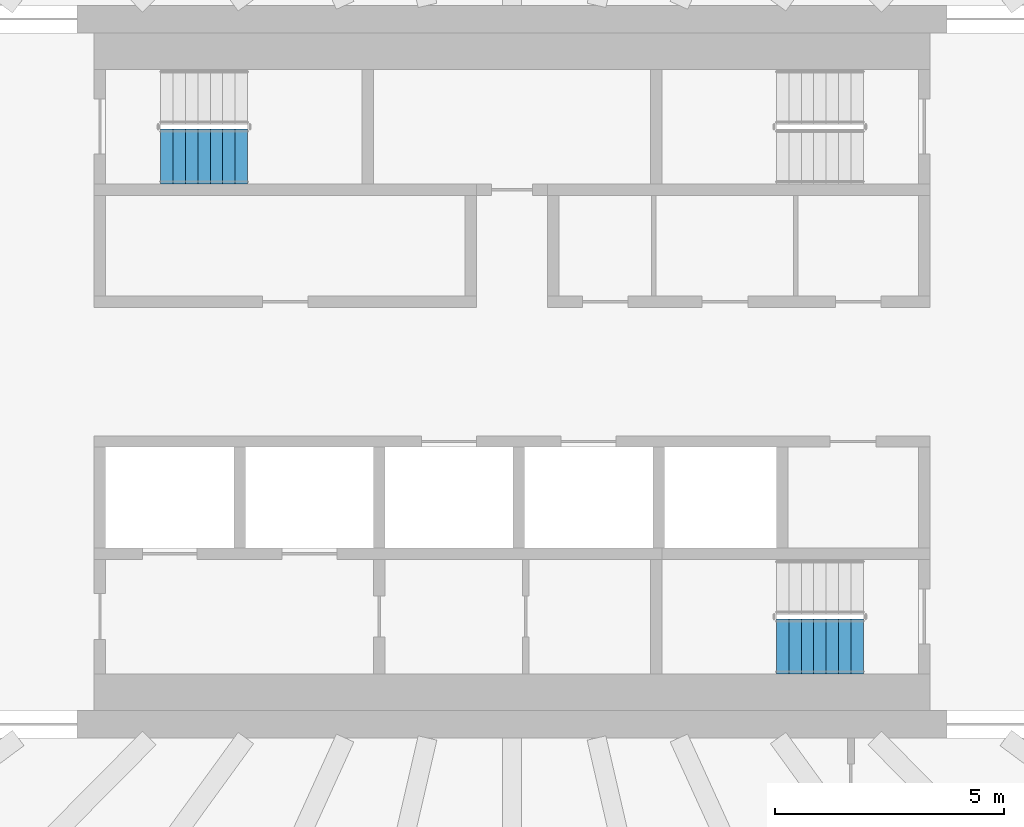
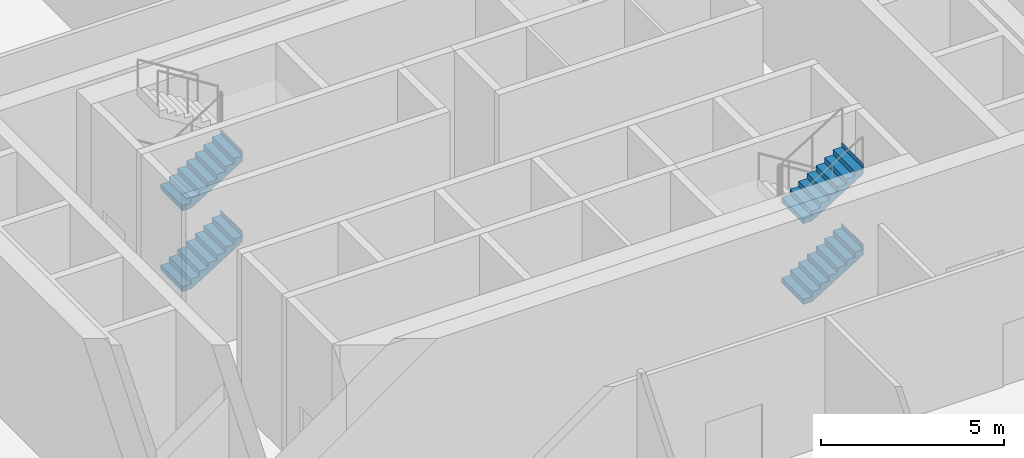
# One storey, part 9 of 18: 4 stair flights, 2 elements without a shape of their own.
"""IFC4 building model written with IfcOpenShell, lengths in metres."""

import ifcopenshell
import ifcopenshell.guid

model = None  # the IFC model being written
_history = None  # IfcOwnerHistory: only IFC2X3 demands one
_inside = {}  # id of a spatial element -> (the spatial element, [elements in it])
_under = {}  # id of a project, library or spatial element -> (it, [spatial elements below it])
_declared = {}  # id of a project -> (the project, [libraries it declares])
_typed = {}  # id of a type object -> (the type object, [elements of that type])
_made_of = {}  # id of a material, layer set ... -> (it, [elements and type objects made of it])


def new_model(schema):
    """Start an empty IFC model of exactly this schema.

    Asked for "IFC4X3", IfcOpenShell would pick the latest addendum, in which some entities
    have other attributes; the version numbers below select the first issue.
    IFC2X3 requires an IfcOwnerHistory on every rooted entity: one is made here for all.
    """
    global model, _history
    if schema == "IFC4X3":
        model = ifcopenshell.file(schema_version=(4, 3, 0, 0))
    else:
        model = ifcopenshell.file(schema=schema)
    _inside.clear()
    _under.clear()
    _declared.clear()
    _typed.clear()
    _made_of.clear()
    _history = None
    if model.schema == "IFC2X3":
        org = make("IfcOrganization", Name="unknown")
        user = make(
            "IfcPersonAndOrganization",
            ThePerson=make("IfcPerson", FamilyName="unknown"),
            TheOrganization=org,
        )
        app = make(
            "IfcApplication",
            ApplicationDeveloper=org,
            Version="unknown",
            ApplicationFullName="unknown",
            ApplicationIdentifier="unknown",
        )
        _history = make(
            "IfcOwnerHistory",
            OwningUser=user,
            OwningApplication=app,
            ChangeAction="ADDED",
            CreationDate=0,
        )
    return model


def make(cls, **values):
    """One entity of the class cls with the attributes given. An attribute that is None is left unset."""
    return model.create_entity(
        cls, **{name: value for name, value in values.items() if value is not None}
    )


def rooted(cls, **values):
    """An entity with a GlobalId (a new one), such as an element, a storey or a relation."""
    return make(cls, GlobalId=ifcopenshell.guid.new(), OwnerHistory=_history, **values)


def si_unit(unit_type, name, prefix=None):
    """IfcSIUnit, for example si_unit("LENGTHUNIT", "METRE", prefix="MILLI")."""
    return make("IfcSIUnit", UnitType=unit_type, Prefix=prefix, Name=name)


def assignment(units):
    """IfcUnitAssignment: the units of a project."""
    return None if units is None else make("IfcUnitAssignment", Units=units)


def point(xyz):
    """IfcCartesianPoint."""
    return None if xyz is None else make("IfcCartesianPoint", Coordinates=xyz)


def direction(xyz):
    """IfcDirection."""
    return None if xyz is None else make("IfcDirection", DirectionRatios=xyz)


def frame(location, z_axis=None, x_axis=None):
    """IfcAxis2Placement3D, a coordinate frame: its origin and axes. An axis left out is left unset."""
    return make(
        "IfcAxis2Placement3D",
        Location=point(location),
        Axis=direction(z_axis),
        RefDirection=direction(x_axis),
    )


def origin():
    """The frame at (0, 0, 0) with its axes left unset."""
    return frame((0.0, 0.0, 0.0))


def place(relative_to, where):
    """IfcLocalPlacement: puts the frame where relative to a parent placement (None: the world)."""
    return make(
        "IfcLocalPlacement", PlacementRelTo=relative_to, RelativePlacement=where
    )


def context(
    kind, dimensions, precision=None, world=None, true_north=None, identifier=None
):
    """IfcGeometricRepresentationContext, for example the 3D "Model" context."""
    return make(
        "IfcGeometricRepresentationContext",
        ContextIdentifier=identifier,
        ContextType=kind,
        CoordinateSpaceDimension=dimensions,
        Precision=precision,
        WorldCoordinateSystem=world,
        TrueNorth=true_north,
    )


def subcontext(parent, identifier, kind, view, scale=None):
    """IfcGeometricRepresentationSubContext, for example "Body" below "Model"."""
    return make(
        "IfcGeometricRepresentationSubContext",
        ContextIdentifier=identifier,
        ContextType=kind,
        ParentContext=parent,
        TargetScale=scale,
        TargetView=view,
    )


def project(units=None, contexts=None):
    """IfcProject with its units and contexts."""
    return rooted(
        "IfcProject",
        Name="project",
        RepresentationContexts=contexts,
        UnitsInContext=assignment(units),
    )


def spatial(cls, under=None, at=None, **own):
    """A site, building, storey or space (cls), placed at a placement, below another one or the project."""
    s = rooted(cls, ObjectPlacement=at, **own)
    if under is not None:
        _under.setdefault(under.id(), (under, []))[1].append(s)
    return s


def point_list(points):
    """IfcCartesianPointList2D or 3D."""
    cls = (
        "IfcCartesianPointList2D" if len(points[0]) == 2 else "IfcCartesianPointList3D"
    )
    return make(cls, CoordList=points)


def triangles(points, corners, closed=None, point_numbers=None):
    """IfcTriangulatedFaceSet: each triangle names its three corners, points numbered from 1."""
    return make(
        "IfcTriangulatedFaceSet",
        Coordinates=point_list(points),
        Closed=closed,
        CoordIndex=corners,
        PnIndex=point_numbers,
    )


def shape(context_of_items, identifier, shape_type, items):
    """IfcShapeRepresentation: the items that make up one representation, for example the "Body"."""
    return make(
        "IfcShapeRepresentation",
        ContextOfItems=context_of_items,
        RepresentationIdentifier=identifier,
        RepresentationType=shape_type,
        Items=items,
    )


def material(Name=None, Category=None):
    """IfcMaterial."""
    return make("IfcMaterial", Name=Name, Category=Category)


def made_of(thing, what):
    """Note that an element or type object is made of a material, layer set ...; save() writes the relation."""
    if what is not None:
        _made_of.setdefault(what.id(), (what, []))[1].append(thing)
    return thing


def type_object(cls, material=None, **own):
    """A type object (cls), such as IfcWallType, which elements share."""
    return made_of(rooted(cls, **own), material)


def element(
    cls,
    number,
    at=None,
    inside=None,
    cuts=None,
    type_object=None,
    material=None,
    context=None,
    identifier="Body",
    shape_type=None,
    held_by="IfcProductDefinitionShape",
    body=None,
    shapes=None,
    **own,
):
    """One element of the class cls, such as IfcWall. Its Tag is "e" and its number.

    at: its placement. inside: the storey or other place that contains it. cuts: it is an
    opening in that element (IfcRelVoidsElement). A single representation is given by context,
    identifier, shape_type and body (its items); several are given by shapes. held_by: the class
    of the entity that holds the representations. save() writes the other relations.
    """
    e = rooted(cls, Tag="e%d" % number, ObjectPlacement=at, **own)
    if body is not None:
        shapes = [shape(context, identifier, shape_type, body)]
    if shapes is not None:
        e.Representation = make(held_by, Representations=shapes)
    if inside is not None:
        _inside.setdefault(inside.id(), (inside, []))[1].append(e)
    if cuts is not None:
        rooted(
            "IfcRelVoidsElement", RelatingBuildingElement=cuts, RelatedOpeningElement=e
        )
    if type_object is not None:
        _typed.setdefault(type_object.id(), (type_object, []))[1].append(e)
    return made_of(e, material)


def aggregate(whole, parts):
    """IfcRelAggregates: a whole, such as a stair, and the parts it consists of."""
    return rooted("IfcRelAggregates", RelatingObject=whole, RelatedObjects=parts)


def save(model, path):
    """Write the relations noted so far, then the file.

    IfcRelAggregates (storeys below a building ...), IfcRelContainedInSpatialStructure (elements
    in a storey), IfcRelDefinesByType, IfcRelAssociatesMaterial and IfcRelDeclares: one each for
    every whole, place, type object, material and project.
    """
    for whole, parts in _under.values():
        aggregate(whole, parts)
    for where, things in _inside.values():
        rooted(
            "IfcRelContainedInSpatialStructure",
            RelatedElements=things,
            RelatingStructure=where,
        )
    for kind, things in _typed.values():
        rooted("IfcRelDefinesByType", RelatedObjects=things, RelatingType=kind)
    for what, things in _made_of.values():
        rooted("IfcRelAssociatesMaterial", RelatedObjects=things, RelatingMaterial=what)
    for by, libraries in _declared.values():
        rooted("IfcRelDeclares", RelatingContext=by, RelatedDefinitions=libraries)
    model.write(path)


model = new_model("IFC4")

# Units and contexts
model_context = context("Model", 3, precision=1e-05, world=origin(), true_north=direction((0.0, 1.0)))
body_context = subcontext(model_context, "Body", "Model", "MODEL_VIEW")
ifc_project = project(units=[si_unit("LENGTHUNIT", "METRE"), si_unit("AREAUNIT", "SQUARE_METRE"), si_unit("VOLUMEUNIT", "CUBIC_METRE"), si_unit("PLANEANGLEUNIT", "RADIAN"), si_unit("MASSUNIT", "GRAM", prefix="KILO")], contexts=[model_context])

# Site, building, storey
site_placement = place(None, origin())
site = spatial("IfcSite", under=ifc_project, at=site_placement, CompositionType="ELEMENT")
building_placement = place(site_placement, origin())
building = spatial("IfcBuilding", under=site, at=building_placement, Name="Sahrelin Media Tower", CompositionType="ELEMENT")
storey_placement = place(building_placement, frame((0.0, 0.0, 96.60009765625)))
storey = spatial("IfcBuildingStorey", under=building, at=storey_placement, Name="L18", CompositionType="ELEMENT", Elevation=96.60009765625)

# Stair, stair flights
ifc_material = material(Name="Concrete C40/50", Category="concrete")
stair_type = type_object("IfcStairType", Name="Exit stair 1200", PredefinedType="HALF_TURN_STAIR", material=ifc_material)
placement = place(storey_placement, origin())
stair_1 = element("IfcStair", 1, at=placement, inside=storey, type_object=stair_type, Name="L18 Exit stair ST1", PredefinedType="HALF_TURN_STAIR")
stair_flight_type = type_object("IfcStairFlightType", Name="Stair flight 1200", PredefinedType="STRAIGHT", material=ifc_material)
stair_flight_1_placement = place(storey_placement, frame((-7.675048828125, 4.699951171875, 0.0), z_axis=(0.0, 0.0, 1.0), x_axis=(1.0, 0.0, 0.0)))
stair_flight_1 = element("IfcStairFlight", 2, at=stair_flight_1_placement, type_object=stair_flight_type, Name="ST1 flight 1", NumberOfRisers=8, NumberOfTreads=7, PredefinedType="STRAIGHT", RiserHeight=0.16875, TreadLength=0.271428571, context=body_context, shape_type="Tessellation", body=[
    triangles([(0.283935546875, 0.60009765625, 0.0), (0.283935546875, 0.300048828125, 0.0), (0.283935546875, 0.0, 0.0), (0.283935546875, -0.300048828125, 0.0), (0.283935546875, -0.60009765625, 0.0), (1.89990234375, 0.60009765625, 1.004638671875), (1.89990234375, 0.300048828125, 1.004638671875), (1.89990234375, 0.0, 1.004638671875), (1.89990234375, -0.300048828125, 1.004638671875), (1.89990234375, -0.60009765625, 1.004638671875), (1.89990234375, 0.60009765625, 1.35009765625), (1.89990234375, 0.300048828125, 1.35009765625), (1.89990234375, 0.0, 1.35009765625), (1.89990234375, -0.300048828125, 1.35009765625), (1.89990234375, -0.60009765625, 1.35009765625), (1.89794921875, 0.60009765625, 1.35009765625), (1.89794921875, 0.300048828125, 1.35009765625), (1.89794921875, 0.0, 1.35009765625), (1.89794921875, -0.300048828125, 1.35009765625), (1.89794921875, -0.60009765625, 1.35009765625), (1.89794921875, 0.60009765625, 1.18115234375), (1.89794921875, 0.300048828125, 1.18115234375), (1.89794921875, 0.0, 1.18115234375), (1.89794921875, -0.300048828125, 1.18115234375), (1.89794921875, -0.60009765625, 1.18115234375), (1.628662109375, 0.60009765625, 1.18115234375), (1.628662109375, 0.300048828125, 1.18115234375), (1.628662109375, 0.0, 1.18115234375), (1.628662109375, -0.300048828125, 1.18115234375), (1.628662109375, -0.60009765625, 1.18115234375), (1.628662109375, 0.60009765625, 1.012451171875), (1.628662109375, 0.300048828125, 1.012451171875), (1.628662109375, 0.0, 1.012451171875), (1.628662109375, -0.300048828125, 1.012451171875), (1.628662109375, -0.60009765625, 1.012451171875), (1.357177734375, 0.60009765625, 1.012451171875), (1.357177734375, 0.300048828125, 1.012451171875), (1.357177734375, 0.0, 1.012451171875), (1.357177734375, -0.300048828125, 1.012451171875), (1.357177734375, -0.60009765625, 1.012451171875), (1.357177734375, 0.60009765625, 0.84375), (1.357177734375, 0.300048828125, 0.84375), (1.357177734375, 0.0, 0.84375), (1.357177734375, -0.300048828125, 0.84375), (1.357177734375, -0.60009765625, 0.84375), (1.085693359375, 0.60009765625, 0.84375), (1.085693359375, 0.300048828125, 0.84375), (1.085693359375, 0.0, 0.84375), (1.085693359375, -0.300048828125, 0.84375), (1.085693359375, -0.60009765625, 0.84375), (1.085693359375, 0.60009765625, 0.675048828125), (1.085693359375, 0.300048828125, 0.675048828125), (1.085693359375, 0.0, 0.675048828125), (1.085693359375, -0.300048828125, 0.675048828125), (1.085693359375, -0.60009765625, 0.675048828125), (0.814208984375, 0.60009765625, 0.675048828125), (0.814208984375, 0.300048828125, 0.675048828125), (0.814208984375, 0.0, 0.675048828125), (0.814208984375, -0.300048828125, 0.675048828125), (0.814208984375, -0.60009765625, 0.675048828125), (0.814208984375, 0.60009765625, 0.50634765625), (0.814208984375, 0.300048828125, 0.50634765625), (0.814208984375, 0.0, 0.50634765625), (0.814208984375, -0.300048828125, 0.50634765625), (0.814208984375, -0.60009765625, 0.50634765625), (0.54296875, 0.60009765625, 0.50634765625), (0.54296875, 0.300048828125, 0.50634765625), (0.54296875, 0.0, 0.50634765625), (0.54296875, -0.300048828125, 0.50634765625), (0.54296875, -0.60009765625, 0.50634765625), (0.54296875, 0.60009765625, 0.33740234375), (0.54296875, 0.300048828125, 0.33740234375), (0.54296875, 0.0, 0.33740234375), (0.54296875, -0.300048828125, 0.33740234375), (0.54296875, -0.60009765625, 0.33740234375), (0.271484375, 0.60009765625, 0.33740234375), (0.271484375, 0.300048828125, 0.33740234375), (0.271484375, 0.0, 0.33740234375), (0.271484375, -0.300048828125, 0.33740234375), (0.271484375, -0.60009765625, 0.33740234375), (0.271484375, 0.60009765625, 0.168701171875), (0.271484375, 0.300048828125, 0.168701171875), (0.271484375, 0.0, 0.168701171875), (0.271484375, -0.300048828125, 0.168701171875), (0.271484375, -0.60009765625, 0.168701171875), (0.0, 0.60009765625, 0.168701171875), (0.0, 0.300048828125, 0.168701171875), (0.0, 0.0, 0.168701171875), (0.0, -0.300048828125, 0.168701171875), (0.0, -0.60009765625, 0.168701171875), (0.0, 0.60009765625, 0.0), (0.0, 0.300048828125, 0.0), (0.0, 0.0, 0.0), (0.0, -0.300048828125, 0.0), (0.0, -0.60009765625, 0.0)], [[1, 6, 7], [1, 7, 2], [2, 7, 8], [2, 8, 3], [3, 8, 9], [3, 9, 4], [4, 9, 10], [4, 10, 5], [6, 11, 12], [6, 12, 7], [7, 12, 13], [7, 13, 8], [8, 13, 14], [8, 14, 9], [9, 14, 15], [9, 15, 10], [11, 16, 17], [11, 17, 12], [12, 17, 18], [12, 18, 13], [13, 18, 19], [13, 19, 14], [14, 19, 20], [14, 20, 15], [16, 21, 22], [16, 22, 17], [17, 22, 23], [17, 23, 18], [18, 23, 24], [18, 24, 19], [19, 24, 25], [19, 25, 20], [21, 26, 27], [21, 27, 22], [22, 27, 28], [22, 28, 23], [23, 28, 29], [23, 29, 24], [24, 29, 30], [24, 30, 25], [26, 31, 32], [26, 32, 27], [27, 32, 33], [27, 33, 28], [28, 33, 34], [28, 34, 29], [29, 34, 35], [29, 35, 30], [31, 36, 37], [31, 37, 32], [32, 37, 38], [32, 38, 33], [33, 38, 39], [33, 39, 34], [34, 39, 40], [34, 40, 35], [36, 41, 42], [36, 42, 37], [37, 42, 43], [37, 43, 38], [38, 43, 44], [38, 44, 39], [39, 44, 45], [39, 45, 40], [41, 46, 47], [41, 47, 42], [42, 47, 48], [42, 48, 43], [43, 48, 49], [43, 49, 44], [44, 49, 50], [44, 50, 45], [46, 51, 52], [46, 52, 47], [47, 52, 53], [47, 53, 48], [48, 53, 54], [48, 54, 49], [49, 54, 55], [49, 55, 50], [51, 56, 57], [51, 57, 52], [52, 57, 58], [52, 58, 53], [53, 58, 59], [53, 59, 54], [54, 59, 60], [54, 60, 55], [56, 61, 62], [56, 62, 57], [57, 62, 63], [57, 63, 58], [58, 63, 64], [58, 64, 59], [59, 64, 65], [59, 65, 60], [61, 66, 67], [61, 67, 62], [62, 67, 68], [62, 68, 63], [63, 68, 69], [63, 69, 64], [64, 69, 70], [64, 70, 65], [66, 71, 72], [66, 72, 67], [67, 72, 73], [67, 73, 68], [68, 73, 74], [68, 74, 69], [69, 74, 75], [69, 75, 70], [71, 76, 77], [71, 77, 72], [72, 77, 78], [72, 78, 73], [73, 78, 79], [73, 79, 74], [74, 79, 80], [74, 80, 75], [76, 81, 82], [76, 82, 77], [77, 82, 83], [77, 83, 78], [78, 83, 84], [78, 84, 79], [79, 84, 85], [79, 85, 80], [81, 86, 87], [81, 87, 82], [82, 87, 88], [82, 88, 83], [83, 88, 89], [83, 89, 84], [84, 89, 90], [84, 90, 85], [86, 91, 92], [86, 92, 87], [87, 92, 93], [87, 93, 88], [88, 93, 94], [88, 94, 89], [89, 94, 95], [89, 95, 90], [91, 1, 2], [91, 2, 92], [92, 2, 3], [92, 3, 93], [93, 3, 4], [93, 4, 94], [94, 4, 5], [94, 5, 95], [85, 90, 95], [81, 91, 86], [85, 75, 80], [81, 76, 71], [75, 65, 70], [71, 66, 61], [65, 55, 60], [61, 56, 51], [55, 45, 50], [51, 46, 41], [45, 35, 40], [41, 36, 31], [35, 25, 30], [31, 26, 21], [25, 15, 20], [21, 16, 11], [95, 5, 85], [91, 81, 1], [5, 55, 65], [1, 61, 51], [25, 10, 15], [21, 11, 6], [75, 85, 5], [71, 1, 81], [10, 45, 55], [6, 51, 41], [35, 10, 25], [31, 21, 6], [65, 75, 5], [61, 1, 71], [45, 10, 35], [41, 31, 6], [5, 10, 55], [1, 51, 6]], closed=True),
])
stair_flight_2_placement = place(storey_placement, frame((-7.675048828125, 4.699951171875, 2.699951171875), z_axis=(0.0, 0.0, 1.0), x_axis=(1.0, 0.0, 0.0)))
stair_flight_2 = element("IfcStairFlight", 3, at=stair_flight_2_placement, type_object=stair_flight_type, Name="ST1 flight 3", NumberOfRisers=8, NumberOfTreads=7, PredefinedType="STRAIGHT", RiserHeight=0.16875, TreadLength=0.271428571, context=body_context, shape_type="Tessellation", body=[
    triangles([(0.283935546875, 0.60009765625, 0.0), (0.283935546875, 0.300048828125, 0.0), (0.283935546875, 0.0, 0.0), (0.283935546875, -0.300048828125, 0.0), (0.283935546875, -0.60009765625, 0.0), (1.89990234375, 0.60009765625, 1.004638671875), (1.89990234375, 0.300048828125, 1.004638671875), (1.89990234375, 0.0, 1.004638671875), (1.89990234375, -0.300048828125, 1.004638671875), (1.89990234375, -0.60009765625, 1.004638671875), (1.89990234375, 0.60009765625, 1.35009765625), (1.89990234375, 0.300048828125, 1.35009765625), (1.89990234375, 0.0, 1.35009765625), (1.89990234375, -0.300048828125, 1.35009765625), (1.89990234375, -0.60009765625, 1.35009765625), (1.89794921875, 0.60009765625, 1.35009765625), (1.89794921875, 0.300048828125, 1.35009765625), (1.89794921875, 0.0, 1.35009765625), (1.89794921875, -0.300048828125, 1.35009765625), (1.89794921875, -0.60009765625, 1.35009765625), (1.89794921875, 0.60009765625, 1.18115234375), (1.89794921875, 0.300048828125, 1.18115234375), (1.89794921875, 0.0, 1.18115234375), (1.89794921875, -0.300048828125, 1.18115234375), (1.89794921875, -0.60009765625, 1.18115234375), (1.628662109375, 0.60009765625, 1.18115234375), (1.628662109375, 0.300048828125, 1.18115234375), (1.628662109375, 0.0, 1.18115234375), (1.628662109375, -0.300048828125, 1.18115234375), (1.628662109375, -0.60009765625, 1.18115234375), (1.628662109375, 0.60009765625, 1.012451171875), (1.628662109375, 0.300048828125, 1.012451171875), (1.628662109375, 0.0, 1.012451171875), (1.628662109375, -0.300048828125, 1.012451171875), (1.628662109375, -0.60009765625, 1.012451171875), (1.357177734375, 0.60009765625, 1.012451171875), (1.357177734375, 0.300048828125, 1.012451171875), (1.357177734375, 0.0, 1.012451171875), (1.357177734375, -0.300048828125, 1.012451171875), (1.357177734375, -0.60009765625, 1.012451171875), (1.357177734375, 0.60009765625, 0.84375), (1.357177734375, 0.300048828125, 0.84375), (1.357177734375, 0.0, 0.84375), (1.357177734375, -0.300048828125, 0.84375), (1.357177734375, -0.60009765625, 0.84375), (1.085693359375, 0.60009765625, 0.84375), (1.085693359375, 0.300048828125, 0.84375), (1.085693359375, 0.0, 0.84375), (1.085693359375, -0.300048828125, 0.84375), (1.085693359375, -0.60009765625, 0.84375), (1.085693359375, 0.60009765625, 0.675048828125), (1.085693359375, 0.300048828125, 0.675048828125), (1.085693359375, 0.0, 0.675048828125), (1.085693359375, -0.300048828125, 0.675048828125), (1.085693359375, -0.60009765625, 0.675048828125), (0.814208984375, 0.60009765625, 0.675048828125), (0.814208984375, 0.300048828125, 0.675048828125), (0.814208984375, 0.0, 0.675048828125), (0.814208984375, -0.300048828125, 0.675048828125), (0.814208984375, -0.60009765625, 0.675048828125), (0.814208984375, 0.60009765625, 0.50634765625), (0.814208984375, 0.300048828125, 0.50634765625), (0.814208984375, 0.0, 0.50634765625), (0.814208984375, -0.300048828125, 0.50634765625), (0.814208984375, -0.60009765625, 0.50634765625), (0.54296875, 0.60009765625, 0.50634765625), (0.54296875, 0.300048828125, 0.50634765625), (0.54296875, 0.0, 0.50634765625), (0.54296875, -0.300048828125, 0.50634765625), (0.54296875, -0.60009765625, 0.50634765625), (0.54296875, 0.60009765625, 0.33740234375), (0.54296875, 0.300048828125, 0.33740234375), (0.54296875, 0.0, 0.33740234375), (0.54296875, -0.300048828125, 0.33740234375), (0.54296875, -0.60009765625, 0.33740234375), (0.271484375, 0.60009765625, 0.33740234375), (0.271484375, 0.300048828125, 0.33740234375), (0.271484375, 0.0, 0.33740234375), (0.271484375, -0.300048828125, 0.33740234375), (0.271484375, -0.60009765625, 0.33740234375), (0.271484375, 0.60009765625, 0.168701171875), (0.271484375, 0.300048828125, 0.168701171875), (0.271484375, 0.0, 0.168701171875), (0.271484375, -0.300048828125, 0.168701171875), (0.271484375, -0.60009765625, 0.168701171875), (0.0, 0.60009765625, 0.168701171875), (0.0, 0.300048828125, 0.168701171875), (0.0, 0.0, 0.168701171875), (0.0, -0.300048828125, 0.168701171875), (0.0, -0.60009765625, 0.168701171875), (0.0, 0.60009765625, 0.0), (0.0, 0.300048828125, 0.0), (0.0, 0.0, 0.0), (0.0, -0.300048828125, 0.0), (0.0, -0.60009765625, 0.0)], [[1, 6, 7], [1, 7, 2], [2, 7, 8], [2, 8, 3], [3, 8, 9], [3, 9, 4], [4, 9, 10], [4, 10, 5], [6, 11, 12], [6, 12, 7], [7, 12, 13], [7, 13, 8], [8, 13, 14], [8, 14, 9], [9, 14, 15], [9, 15, 10], [11, 16, 17], [11, 17, 12], [12, 17, 18], [12, 18, 13], [13, 18, 19], [13, 19, 14], [14, 19, 20], [14, 20, 15], [16, 21, 22], [16, 22, 17], [17, 22, 23], [17, 23, 18], [18, 23, 24], [18, 24, 19], [19, 24, 25], [19, 25, 20], [21, 26, 27], [21, 27, 22], [22, 27, 28], [22, 28, 23], [23, 28, 29], [23, 29, 24], [24, 29, 30], [24, 30, 25], [26, 31, 32], [26, 32, 27], [27, 32, 33], [27, 33, 28], [28, 33, 34], [28, 34, 29], [29, 34, 35], [29, 35, 30], [31, 36, 37], [31, 37, 32], [32, 37, 38], [32, 38, 33], [33, 38, 39], [33, 39, 34], [34, 39, 40], [34, 40, 35], [36, 41, 42], [36, 42, 37], [37, 42, 43], [37, 43, 38], [38, 43, 44], [38, 44, 39], [39, 44, 45], [39, 45, 40], [41, 46, 47], [41, 47, 42], [42, 47, 48], [42, 48, 43], [43, 48, 49], [43, 49, 44], [44, 49, 50], [44, 50, 45], [46, 51, 52], [46, 52, 47], [47, 52, 53], [47, 53, 48], [48, 53, 54], [48, 54, 49], [49, 54, 55], [49, 55, 50], [51, 56, 57], [51, 57, 52], [52, 57, 58], [52, 58, 53], [53, 58, 59], [53, 59, 54], [54, 59, 60], [54, 60, 55], [56, 61, 62], [56, 62, 57], [57, 62, 63], [57, 63, 58], [58, 63, 64], [58, 64, 59], [59, 64, 65], [59, 65, 60], [61, 66, 67], [61, 67, 62], [62, 67, 68], [62, 68, 63], [63, 68, 69], [63, 69, 64], [64, 69, 70], [64, 70, 65], [66, 71, 72], [66, 72, 67], [67, 72, 73], [67, 73, 68], [68, 73, 74], [68, 74, 69], [69, 74, 75], [69, 75, 70], [71, 76, 77], [71, 77, 72], [72, 77, 78], [72, 78, 73], [73, 78, 79], [73, 79, 74], [74, 79, 80], [74, 80, 75], [76, 81, 82], [76, 82, 77], [77, 82, 83], [77, 83, 78], [78, 83, 84], [78, 84, 79], [79, 84, 85], [79, 85, 80], [81, 86, 87], [81, 87, 82], [82, 87, 88], [82, 88, 83], [83, 88, 89], [83, 89, 84], [84, 89, 90], [84, 90, 85], [86, 91, 92], [86, 92, 87], [87, 92, 93], [87, 93, 88], [88, 93, 94], [88, 94, 89], [89, 94, 95], [89, 95, 90], [91, 1, 2], [91, 2, 92], [92, 2, 3], [92, 3, 93], [93, 3, 4], [93, 4, 94], [94, 4, 5], [94, 5, 95], [85, 90, 95], [81, 91, 86], [85, 75, 80], [81, 76, 71], [75, 65, 70], [71, 66, 61], [65, 55, 60], [61, 56, 51], [55, 45, 50], [51, 46, 41], [45, 35, 40], [41, 36, 31], [35, 25, 30], [31, 26, 21], [25, 15, 20], [21, 16, 11], [95, 5, 85], [91, 81, 1], [5, 55, 65], [1, 61, 51], [25, 10, 15], [21, 11, 6], [75, 85, 5], [71, 1, 81], [10, 45, 55], [6, 51, 41], [35, 10, 25], [31, 21, 6], [65, 75, 5], [61, 1, 71], [45, 10, 35], [41, 31, 6], [5, 10, 55], [1, 51, 6]], closed=True),
])
aggregate(stair_1, [stair_flight_1, stair_flight_2])

stair_2 = element("IfcStair", 4, at=placement, inside=storey, type_object=stair_type, Name="L18 Exit stair ST2", PredefinedType="HALF_TURN_STAIR")
stair_flight_3_placement = place(storey_placement, frame((5.77490234375, -6.0, 1.349853515625), z_axis=(0.0, 0.0, 1.0), x_axis=(1.0, 0.0, 0.0)))
stair_flight_3 = element("IfcStairFlight", 5, at=stair_flight_3_placement, type_object=stair_flight_type, Name="ST2 flight 2", NumberOfRisers=8, NumberOfTreads=7, PredefinedType="STRAIGHT", RiserHeight=0.16875, TreadLength=0.271428571, context=body_context, shape_type="Tessellation", body=[
    triangles([(0.283935546875, 0.60009765625, 0.0), (0.283935546875, 0.300048828125, 0.0), (0.283935546875, 0.0, 0.0), (0.283935546875, -0.300048828125, 0.0), (0.283935546875, -0.60009765625, 0.0), (1.89990234375, 0.60009765625, 1.004638671875), (1.89990234375, 0.300048828125, 1.004638671875), (1.89990234375, 0.0, 1.004638671875), (1.89990234375, -0.300048828125, 1.004638671875), (1.89990234375, -0.60009765625, 1.004638671875), (1.89990234375, 0.60009765625, 1.35009765625), (1.89990234375, 0.300048828125, 1.35009765625), (1.89990234375, 0.0, 1.35009765625), (1.89990234375, -0.300048828125, 1.35009765625), (1.89990234375, -0.60009765625, 1.35009765625), (1.89794921875, 0.60009765625, 1.35009765625), (1.89794921875, 0.300048828125, 1.35009765625), (1.89794921875, 0.0, 1.35009765625), (1.89794921875, -0.300048828125, 1.35009765625), (1.89794921875, -0.60009765625, 1.35009765625), (1.89794921875, 0.60009765625, 1.18115234375), (1.89794921875, 0.300048828125, 1.18115234375), (1.89794921875, 0.0, 1.18115234375), (1.89794921875, -0.300048828125, 1.18115234375), (1.89794921875, -0.60009765625, 1.18115234375), (1.628662109375, 0.60009765625, 1.18115234375), (1.628662109375, 0.300048828125, 1.18115234375), (1.628662109375, 0.0, 1.18115234375), (1.628662109375, -0.300048828125, 1.18115234375), (1.628662109375, -0.60009765625, 1.18115234375), (1.628662109375, 0.60009765625, 1.012451171875), (1.628662109375, 0.300048828125, 1.012451171875), (1.628662109375, 0.0, 1.012451171875), (1.628662109375, -0.300048828125, 1.012451171875), (1.628662109375, -0.60009765625, 1.012451171875), (1.357177734375, 0.60009765625, 1.012451171875), (1.357177734375, 0.300048828125, 1.012451171875), (1.357177734375, 0.0, 1.012451171875), (1.357177734375, -0.300048828125, 1.012451171875), (1.357177734375, -0.60009765625, 1.012451171875), (1.357177734375, 0.60009765625, 0.84375), (1.357177734375, 0.300048828125, 0.84375), (1.357177734375, 0.0, 0.84375), (1.357177734375, -0.300048828125, 0.84375), (1.357177734375, -0.60009765625, 0.84375), (1.085693359375, 0.60009765625, 0.84375), (1.085693359375, 0.300048828125, 0.84375), (1.085693359375, 0.0, 0.84375), (1.085693359375, -0.300048828125, 0.84375), (1.085693359375, -0.60009765625, 0.84375), (1.085693359375, 0.60009765625, 0.675048828125), (1.085693359375, 0.300048828125, 0.675048828125), (1.085693359375, 0.0, 0.675048828125), (1.085693359375, -0.300048828125, 0.675048828125), (1.085693359375, -0.60009765625, 0.675048828125), (0.814208984375, 0.60009765625, 0.675048828125), (0.814208984375, 0.300048828125, 0.675048828125), (0.814208984375, 0.0, 0.675048828125), (0.814208984375, -0.300048828125, 0.675048828125), (0.814208984375, -0.60009765625, 0.675048828125), (0.814208984375, 0.60009765625, 0.50634765625), (0.814208984375, 0.300048828125, 0.50634765625), (0.814208984375, 0.0, 0.50634765625), (0.814208984375, -0.300048828125, 0.50634765625), (0.814208984375, -0.60009765625, 0.50634765625), (0.54296875, 0.60009765625, 0.50634765625), (0.54296875, 0.300048828125, 0.50634765625), (0.54296875, 0.0, 0.50634765625), (0.54296875, -0.300048828125, 0.50634765625), (0.54296875, -0.60009765625, 0.50634765625), (0.54296875, 0.60009765625, 0.33740234375), (0.54296875, 0.300048828125, 0.33740234375), (0.54296875, 0.0, 0.33740234375), (0.54296875, -0.300048828125, 0.33740234375), (0.54296875, -0.60009765625, 0.33740234375), (0.271484375, 0.60009765625, 0.33740234375), (0.271484375, 0.300048828125, 0.33740234375), (0.271484375, 0.0, 0.33740234375), (0.271484375, -0.300048828125, 0.33740234375), (0.271484375, -0.60009765625, 0.33740234375), (0.271484375, 0.60009765625, 0.168701171875), (0.271484375, 0.300048828125, 0.168701171875), (0.271484375, 0.0, 0.168701171875), (0.271484375, -0.300048828125, 0.168701171875), (0.271484375, -0.60009765625, 0.168701171875), (0.0, 0.60009765625, 0.168701171875), (0.0, 0.300048828125, 0.168701171875), (0.0, 0.0, 0.168701171875), (0.0, -0.300048828125, 0.168701171875), (0.0, -0.60009765625, 0.168701171875), (0.0, 0.60009765625, 0.0), (0.0, 0.300048828125, 0.0), (0.0, 0.0, 0.0), (0.0, -0.300048828125, 0.0), (0.0, -0.60009765625, 0.0)], [[1, 6, 7], [1, 7, 2], [2, 7, 8], [2, 8, 3], [3, 8, 9], [3, 9, 4], [4, 9, 10], [4, 10, 5], [6, 11, 12], [6, 12, 7], [7, 12, 13], [7, 13, 8], [8, 13, 14], [8, 14, 9], [9, 14, 15], [9, 15, 10], [11, 16, 17], [11, 17, 12], [12, 17, 18], [12, 18, 13], [13, 18, 19], [13, 19, 14], [14, 19, 20], [14, 20, 15], [16, 21, 22], [16, 22, 17], [17, 22, 23], [17, 23, 18], [18, 23, 24], [18, 24, 19], [19, 24, 25], [19, 25, 20], [21, 26, 27], [21, 27, 22], [22, 27, 28], [22, 28, 23], [23, 28, 29], [23, 29, 24], [24, 29, 30], [24, 30, 25], [26, 31, 32], [26, 32, 27], [27, 32, 33], [27, 33, 28], [28, 33, 34], [28, 34, 29], [29, 34, 35], [29, 35, 30], [31, 36, 37], [31, 37, 32], [32, 37, 38], [32, 38, 33], [33, 38, 39], [33, 39, 34], [34, 39, 40], [34, 40, 35], [36, 41, 42], [36, 42, 37], [37, 42, 43], [37, 43, 38], [38, 43, 44], [38, 44, 39], [39, 44, 45], [39, 45, 40], [41, 46, 47], [41, 47, 42], [42, 47, 48], [42, 48, 43], [43, 48, 49], [43, 49, 44], [44, 49, 50], [44, 50, 45], [46, 51, 52], [46, 52, 47], [47, 52, 53], [47, 53, 48], [48, 53, 54], [48, 54, 49], [49, 54, 55], [49, 55, 50], [51, 56, 57], [51, 57, 52], [52, 57, 58], [52, 58, 53], [53, 58, 59], [53, 59, 54], [54, 59, 60], [54, 60, 55], [56, 61, 62], [56, 62, 57], [57, 62, 63], [57, 63, 58], [58, 63, 64], [58, 64, 59], [59, 64, 65], [59, 65, 60], [61, 66, 67], [61, 67, 62], [62, 67, 68], [62, 68, 63], [63, 68, 69], [63, 69, 64], [64, 69, 70], [64, 70, 65], [66, 71, 72], [66, 72, 67], [67, 72, 73], [67, 73, 68], [68, 73, 74], [68, 74, 69], [69, 74, 75], [69, 75, 70], [71, 76, 77], [71, 77, 72], [72, 77, 78], [72, 78, 73], [73, 78, 79], [73, 79, 74], [74, 79, 80], [74, 80, 75], [76, 81, 82], [76, 82, 77], [77, 82, 83], [77, 83, 78], [78, 83, 84], [78, 84, 79], [79, 84, 85], [79, 85, 80], [81, 86, 87], [81, 87, 82], [82, 87, 88], [82, 88, 83], [83, 88, 89], [83, 89, 84], [84, 89, 90], [84, 90, 85], [86, 91, 92], [86, 92, 87], [87, 92, 93], [87, 93, 88], [88, 93, 94], [88, 94, 89], [89, 94, 95], [89, 95, 90], [91, 1, 2], [91, 2, 92], [92, 2, 3], [92, 3, 93], [93, 3, 4], [93, 4, 94], [94, 4, 5], [94, 5, 95], [85, 90, 95], [81, 91, 86], [85, 75, 80], [81, 76, 71], [75, 65, 70], [71, 66, 61], [65, 55, 60], [61, 56, 51], [55, 45, 50], [51, 46, 41], [45, 35, 40], [41, 36, 31], [35, 25, 30], [31, 26, 21], [25, 15, 20], [21, 16, 11], [95, 5, 85], [91, 81, 1], [5, 55, 65], [1, 61, 51], [25, 10, 15], [21, 11, 6], [75, 85, 5], [71, 1, 81], [10, 45, 55], [6, 51, 41], [35, 10, 25], [31, 21, 6], [65, 75, 5], [61, 1, 71], [45, 10, 35], [41, 31, 6], [5, 10, 55], [1, 51, 6]], closed=True),
])
stair_flight_4_placement = place(storey_placement, frame((5.77490234375, -6.0, 4.0498046875), z_axis=(0.0, 0.0, 1.0), x_axis=(1.0, 0.0, 0.0)))
stair_flight_4 = element("IfcStairFlight", 6, at=stair_flight_4_placement, type_object=stair_flight_type, Name="ST2 flight 4", NumberOfRisers=8, NumberOfTreads=7, PredefinedType="STRAIGHT", RiserHeight=0.16875, TreadLength=0.271428571, context=body_context, shape_type="Tessellation", body=[
    triangles([(0.283935546875, 0.60009765625, 0.0), (0.283935546875, 0.300048828125, 0.0), (0.283935546875, 0.0, 0.0), (0.283935546875, -0.300048828125, 0.0), (0.283935546875, -0.60009765625, 0.0), (1.89990234375, 0.60009765625, 1.004638671875), (1.89990234375, 0.300048828125, 1.004638671875), (1.89990234375, 0.0, 1.004638671875), (1.89990234375, -0.300048828125, 1.004638671875), (1.89990234375, -0.60009765625, 1.004638671875), (1.89990234375, 0.60009765625, 1.35009765625), (1.89990234375, 0.300048828125, 1.35009765625), (1.89990234375, 0.0, 1.35009765625), (1.89990234375, -0.300048828125, 1.35009765625), (1.89990234375, -0.60009765625, 1.35009765625), (1.89794921875, 0.60009765625, 1.35009765625), (1.89794921875, 0.300048828125, 1.35009765625), (1.89794921875, 0.0, 1.35009765625), (1.89794921875, -0.300048828125, 1.35009765625), (1.89794921875, -0.60009765625, 1.35009765625), (1.89794921875, 0.60009765625, 1.18115234375), (1.89794921875, 0.300048828125, 1.18115234375), (1.89794921875, 0.0, 1.18115234375), (1.89794921875, -0.300048828125, 1.18115234375), (1.89794921875, -0.60009765625, 1.18115234375), (1.628662109375, 0.60009765625, 1.18115234375), (1.628662109375, 0.300048828125, 1.18115234375), (1.628662109375, 0.0, 1.18115234375), (1.628662109375, -0.300048828125, 1.18115234375), (1.628662109375, -0.60009765625, 1.18115234375), (1.628662109375, 0.60009765625, 1.012451171875), (1.628662109375, 0.300048828125, 1.012451171875), (1.628662109375, 0.0, 1.012451171875), (1.628662109375, -0.300048828125, 1.012451171875), (1.628662109375, -0.60009765625, 1.012451171875), (1.357177734375, 0.60009765625, 1.012451171875), (1.357177734375, 0.300048828125, 1.012451171875), (1.357177734375, 0.0, 1.012451171875), (1.357177734375, -0.300048828125, 1.012451171875), (1.357177734375, -0.60009765625, 1.012451171875), (1.357177734375, 0.60009765625, 0.84375), (1.357177734375, 0.300048828125, 0.84375), (1.357177734375, 0.0, 0.84375), (1.357177734375, -0.300048828125, 0.84375), (1.357177734375, -0.60009765625, 0.84375), (1.085693359375, 0.60009765625, 0.84375), (1.085693359375, 0.300048828125, 0.84375), (1.085693359375, 0.0, 0.84375), (1.085693359375, -0.300048828125, 0.84375), (1.085693359375, -0.60009765625, 0.84375), (1.085693359375, 0.60009765625, 0.675048828125), (1.085693359375, 0.300048828125, 0.675048828125), (1.085693359375, 0.0, 0.675048828125), (1.085693359375, -0.300048828125, 0.675048828125), (1.085693359375, -0.60009765625, 0.675048828125), (0.814208984375, 0.60009765625, 0.675048828125), (0.814208984375, 0.300048828125, 0.675048828125), (0.814208984375, 0.0, 0.675048828125), (0.814208984375, -0.300048828125, 0.675048828125), (0.814208984375, -0.60009765625, 0.675048828125), (0.814208984375, 0.60009765625, 0.50634765625), (0.814208984375, 0.300048828125, 0.50634765625), (0.814208984375, 0.0, 0.50634765625), (0.814208984375, -0.300048828125, 0.50634765625), (0.814208984375, -0.60009765625, 0.50634765625), (0.54296875, 0.60009765625, 0.50634765625), (0.54296875, 0.300048828125, 0.50634765625), (0.54296875, 0.0, 0.50634765625), (0.54296875, -0.300048828125, 0.50634765625), (0.54296875, -0.60009765625, 0.50634765625), (0.54296875, 0.60009765625, 0.33740234375), (0.54296875, 0.300048828125, 0.33740234375), (0.54296875, 0.0, 0.33740234375), (0.54296875, -0.300048828125, 0.33740234375), (0.54296875, -0.60009765625, 0.33740234375), (0.271484375, 0.60009765625, 0.33740234375), (0.271484375, 0.300048828125, 0.33740234375), (0.271484375, 0.0, 0.33740234375), (0.271484375, -0.300048828125, 0.33740234375), (0.271484375, -0.60009765625, 0.33740234375), (0.271484375, 0.60009765625, 0.168701171875), (0.271484375, 0.300048828125, 0.168701171875), (0.271484375, 0.0, 0.168701171875), (0.271484375, -0.300048828125, 0.168701171875), (0.271484375, -0.60009765625, 0.168701171875), (0.0, 0.60009765625, 0.168701171875), (0.0, 0.300048828125, 0.168701171875), (0.0, 0.0, 0.168701171875), (0.0, -0.300048828125, 0.168701171875), (0.0, -0.60009765625, 0.168701171875), (0.0, 0.60009765625, 0.0), (0.0, 0.300048828125, 0.0), (0.0, 0.0, 0.0), (0.0, -0.300048828125, 0.0), (0.0, -0.60009765625, 0.0)], [[1, 6, 7], [1, 7, 2], [2, 7, 8], [2, 8, 3], [3, 8, 9], [3, 9, 4], [4, 9, 10], [4, 10, 5], [6, 11, 12], [6, 12, 7], [7, 12, 13], [7, 13, 8], [8, 13, 14], [8, 14, 9], [9, 14, 15], [9, 15, 10], [11, 16, 17], [11, 17, 12], [12, 17, 18], [12, 18, 13], [13, 18, 19], [13, 19, 14], [14, 19, 20], [14, 20, 15], [16, 21, 22], [16, 22, 17], [17, 22, 23], [17, 23, 18], [18, 23, 24], [18, 24, 19], [19, 24, 25], [19, 25, 20], [21, 26, 27], [21, 27, 22], [22, 27, 28], [22, 28, 23], [23, 28, 29], [23, 29, 24], [24, 29, 30], [24, 30, 25], [26, 31, 32], [26, 32, 27], [27, 32, 33], [27, 33, 28], [28, 33, 34], [28, 34, 29], [29, 34, 35], [29, 35, 30], [31, 36, 37], [31, 37, 32], [32, 37, 38], [32, 38, 33], [33, 38, 39], [33, 39, 34], [34, 39, 40], [34, 40, 35], [36, 41, 42], [36, 42, 37], [37, 42, 43], [37, 43, 38], [38, 43, 44], [38, 44, 39], [39, 44, 45], [39, 45, 40], [41, 46, 47], [41, 47, 42], [42, 47, 48], [42, 48, 43], [43, 48, 49], [43, 49, 44], [44, 49, 50], [44, 50, 45], [46, 51, 52], [46, 52, 47], [47, 52, 53], [47, 53, 48], [48, 53, 54], [48, 54, 49], [49, 54, 55], [49, 55, 50], [51, 56, 57], [51, 57, 52], [52, 57, 58], [52, 58, 53], [53, 58, 59], [53, 59, 54], [54, 59, 60], [54, 60, 55], [56, 61, 62], [56, 62, 57], [57, 62, 63], [57, 63, 58], [58, 63, 64], [58, 64, 59], [59, 64, 65], [59, 65, 60], [61, 66, 67], [61, 67, 62], [62, 67, 68], [62, 68, 63], [63, 68, 69], [63, 69, 64], [64, 69, 70], [64, 70, 65], [66, 71, 72], [66, 72, 67], [67, 72, 73], [67, 73, 68], [68, 73, 74], [68, 74, 69], [69, 74, 75], [69, 75, 70], [71, 76, 77], [71, 77, 72], [72, 77, 78], [72, 78, 73], [73, 78, 79], [73, 79, 74], [74, 79, 80], [74, 80, 75], [76, 81, 82], [76, 82, 77], [77, 82, 83], [77, 83, 78], [78, 83, 84], [78, 84, 79], [79, 84, 85], [79, 85, 80], [81, 86, 87], [81, 87, 82], [82, 87, 88], [82, 88, 83], [83, 88, 89], [83, 89, 84], [84, 89, 90], [84, 90, 85], [86, 91, 92], [86, 92, 87], [87, 92, 93], [87, 93, 88], [88, 93, 94], [88, 94, 89], [89, 94, 95], [89, 95, 90], [91, 1, 2], [91, 2, 92], [92, 2, 3], [92, 3, 93], [93, 3, 4], [93, 4, 94], [94, 4, 5], [94, 5, 95], [85, 90, 95], [81, 91, 86], [85, 75, 80], [81, 76, 71], [75, 65, 70], [71, 66, 61], [65, 55, 60], [61, 56, 51], [55, 45, 50], [51, 46, 41], [45, 35, 40], [41, 36, 31], [35, 25, 30], [31, 26, 21], [25, 15, 20], [21, 16, 11], [95, 5, 85], [91, 81, 1], [5, 55, 65], [1, 61, 51], [25, 10, 15], [21, 11, 6], [75, 85, 5], [71, 1, 81], [10, 45, 55], [6, 51, 41], [35, 10, 25], [31, 21, 6], [65, 75, 5], [61, 1, 71], [45, 10, 35], [41, 31, 6], [5, 10, 55], [1, 51, 6]], closed=True),
])
aggregate(stair_2, [stair_flight_3, stair_flight_4])

save(model, "model.ifc")
